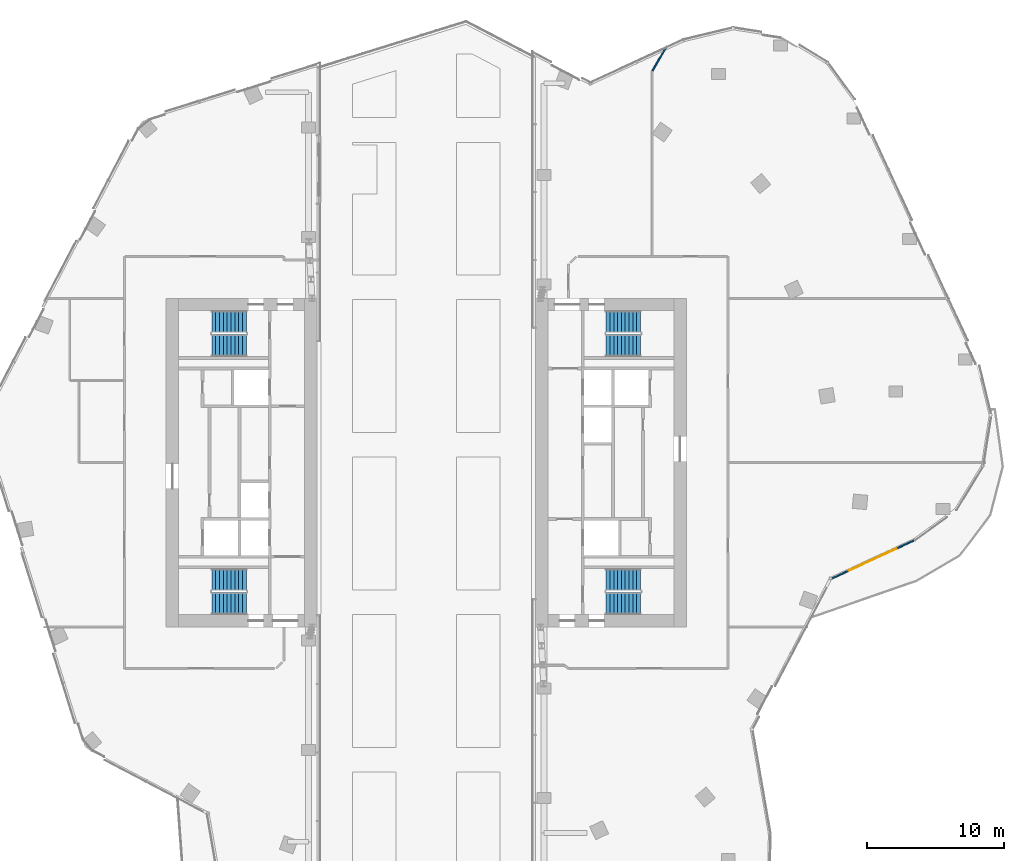
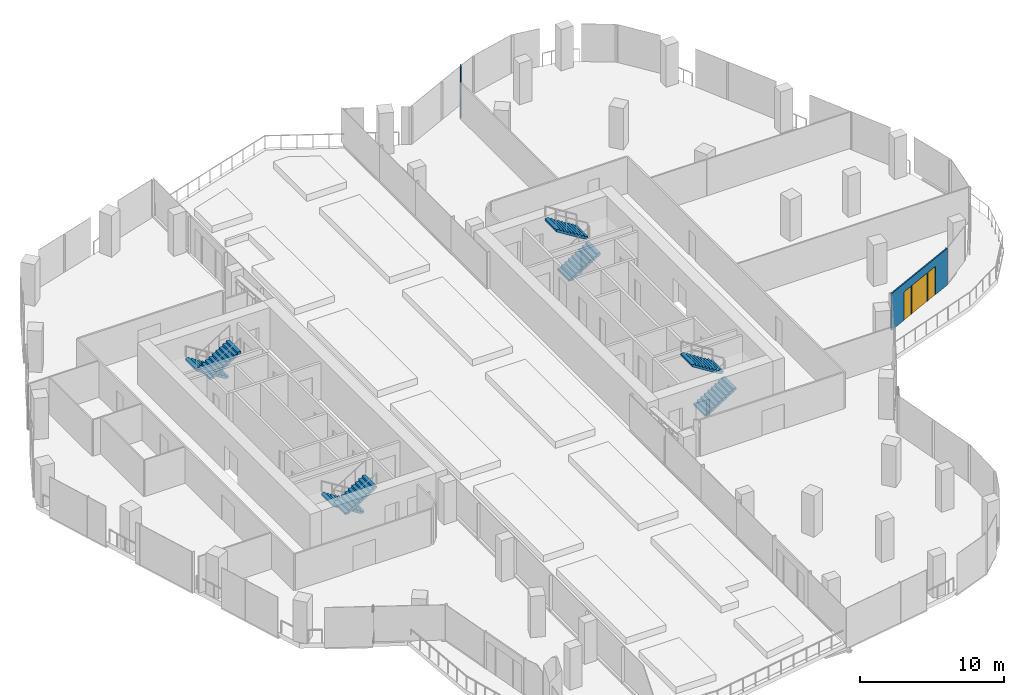
# One storey, part 22 of 26: 8 stair flights, 2 walls, 2 windows, 1 door, 3 openings, 4 elements without a shape of their own.
"""IFC4 building model written with IfcOpenShell, lengths in metres."""

from ifc_helpers import new_model, si_unit, direction, frame, frame_2d, origin, place, context, subcontext, project, spatial, polyline, rectangle, outline, extrude, material, layer, layer_set, type_object, element, fill, aggregate, save


model = new_model("IFC4")

# Units and contexts
model_context = context("Model", 3, precision=1e-05, world=origin(), true_north=direction((0.0, 1.0)))
body_context = subcontext(model_context, "Body", "Model", "MODEL_VIEW")
ifc_project = project(units=[si_unit("LENGTHUNIT", "METRE"), si_unit("AREAUNIT", "SQUARE_METRE"), si_unit("VOLUMEUNIT", "CUBIC_METRE"), si_unit("PLANEANGLEUNIT", "RADIAN"), si_unit("MASSUNIT", "GRAM", prefix="KILO")], contexts=[model_context])

# Site, building, storey
site_placement = place(None, origin())
site = spatial("IfcSite", under=ifc_project, at=site_placement, CompositionType="ELEMENT")
building_placement = place(site_placement, origin())
building = spatial("IfcBuilding", under=site, at=building_placement, Name="Orlundy Tower", CompositionType="ELEMENT")
storey_placement = place(building_placement, frame((0.0, 0.0, 253.5)))
storey = spatial("IfcBuildingStorey", under=building, at=storey_placement, Name="L67", CompositionType="ELEMENT", Elevation=253.5)

# Wall
ifc_material_1 = material(Name="Gypsum board partition")
ifc_layer_1 = layer(ifc_material_1, 0.10009765625)
ifc_layer_set_1 = layer_set([ifc_layer_1], Name="Floor partition 100")
wall_type_1 = type_object("IfcWallType", Name="Floor partition 100", PredefinedType="PARTITIONING", material=ifc_layer_set_1)
wall_1_placement = place(storey_placement, frame((16.530029296875, 28.6298828125, 0.0), z_axis=(0.0, 0.0, 1.0), x_axis=(0.499779509621, 0.866152666545, 0.0)))
element("IfcWall", 1, at=wall_1_placement, inside=storey, type_object=wall_type_1, Name="wall-int-L67-016", PredefinedType="PARTITIONING", context=body_context, shape_type="SweptSolid", body=[
    extrude(rectangle(XDim=2.09912109375, YDim=0.10009765625, at=frame_2d((1.049560546875, 0.0))), origin(), (0.0, 0.0, 1.0), 3.080078125),
])

# Wall, openings, windows, door
ifc_material_2 = material(Name="Aluminium bronze and tinted glass", Category="aluminium")
ifc_layer_2 = layer(ifc_material_2, 0.10009765625)
ifc_layer_set_2 = layer_set([ifc_layer_2], Name="Glazed door screen")
wall_type_2 = type_object("IfcWallType", Name="Glazed door screen", PredefinedType="STANDARD", material=ifc_layer_set_2)
wall_2_placement = place(storey_placement, frame((35.67236328125, -5.6728515625, 0.0), z_axis=(0.0, 0.0, 1.0), x_axis=(-0.907548464316, -0.419947359699, 0.0)))
wall_2 = element("IfcWall", 2, at=wall_2_placement, inside=storey, type_object=wall_type_2, Name="Glazed door screen", PredefinedType="STANDARD", context=body_context, shape_type="SweptSolid", body=[
    extrude(rectangle(XDim=6.71923828125, YDim=0.10009765625, at=frame_2d((3.359619140625, 0.0))), origin(), (0.0, 0.0, 1.0), 3.10009765625),
])
opening_1_placement = place(wall_2_placement, frame((2.459716796875, 0.0, 0.0)))
opening_1 = element("IfcOpeningElement", 3, at=opening_1_placement, cuts=wall_2, Name="Opening 51942", PredefinedType="OPENING", context=body_context, shape_type="SweptSolid", body=[
    extrude(rectangle(XDim=1.800048828125, YDim=2.39990234375, at=frame_2d((0.89990234375, 1.199951171875))), frame((0.0, 0.06005859375, 0.0), z_axis=(0.0, -1.0, 0.0), x_axis=(1.0, 0.0, 0.0)), (0.0, 0.0, 1.0), 0.1201171875),
])
opening_2_placement = place(wall_2_placement, frame((1.459716796875, 0.0, 0.0)))
opening_2 = element("IfcOpeningElement", 4, at=opening_2_placement, cuts=wall_2, Name="Opening W02", PredefinedType="OPENING", context=body_context, shape_type="SweptSolid", body=[
    extrude(rectangle(XDim=0.89990234375, YDim=2.39990234375, at=frame_2d((0.449951171875, 1.199951171875))), frame((0.0, 0.06005859375, 0.0), z_axis=(0.0, -1.0, 0.0), x_axis=(1.0, 0.0, 0.0)), (0.0, 0.0, 1.0), 0.1201171875),
])
opening_3_placement = place(wall_2_placement, frame((4.35986328125, 0.0, 0.0)))
opening_3 = element("IfcOpeningElement", 5, at=opening_3_placement, cuts=wall_2, Name="Opening W02", PredefinedType="OPENING", context=body_context, shape_type="SweptSolid", body=[
    extrude(rectangle(XDim=0.89990234375, YDim=2.39990234375, at=frame_2d((0.449951171875, 1.199951171875))), frame((0.0, 0.06005859375, 0.0), z_axis=(0.0, -1.0, 0.0), x_axis=(1.0, 0.0, 0.0)), (0.0, 0.0, 1.0), 0.1201171875),
])
ifc_material_3 = material(Name="Tinted glass in bronze aluminium frame", Category="aluminium")
window_type = type_object("IfcWindowType", Name="SL2 sidelight 900x2400", PartitioningType="SINGLE_PANEL", PredefinedType="WINDOW", material=ifc_material_3)
window_1_placement = place(opening_2_placement, origin())
window_1 = element("IfcWindow", 6, at=window_1_placement, inside=storey, type_object=window_type, Name="Window W02 L67", OverallHeight=2.39990234375, OverallWidth=0.89990234375, PartitioningType="SINGLE_PANEL", PredefinedType="WINDOW", context=body_context, shape_type="SweptSolid", body=[
    extrude(rectangle(XDim=0.89990234375, YDim=2.39990234375, at=frame_2d((0.449951171875, 1.199951171875))), frame((0.0, 0.030029296875, 0.0), z_axis=(0.0, -1.0, 0.0), x_axis=(1.0, 0.0, 0.0)), (0.0, 0.0, 1.0), 0.06005859375),
])
fill(opening_2, window_1)
window_2_placement = place(opening_3_placement, origin())
window_2 = element("IfcWindow", 7, at=window_2_placement, inside=storey, type_object=window_type, Name="Window W02 L67", OverallHeight=2.39990234375, OverallWidth=0.89990234375, PartitioningType="SINGLE_PANEL", PredefinedType="WINDOW", context=body_context, shape_type="SweptSolid", body=[
    extrude(rectangle(XDim=0.89990234375, YDim=2.39990234375, at=frame_2d((0.449951171875, 1.199951171875))), frame((0.0, 0.030029296875, 0.0), z_axis=(0.0, -1.0, 0.0), x_axis=(1.0, 0.0, 0.0)), (0.0, 0.0, 1.0), 0.06005859375),
])
fill(opening_3, window_2)
ifc_material_4 = material(Name="Aluminium bronze and tinted glass", Category="aluminium")
door_type = type_object("IfcDoorType", Name="TD1 terrace door 1800x2400", OperationType="NOTDEFINED", PredefinedType="DOOR", material=ifc_material_4)
door_placement = place(opening_1_placement, origin())
door = element("IfcDoor", 8, at=door_placement, inside=storey, type_object=door_type, Name="Door 51942", OperationType="DOUBLE_DOOR_SINGLE_SWING", OverallHeight=2.39990234375, OverallWidth=1.800048828125, PredefinedType="DOOR", context=body_context, shape_type="SweptSolid", body=[
    extrude(rectangle(XDim=1.800048828125, YDim=2.39990234375, at=frame_2d((0.89990234375, 1.199951171875))), frame((0.0, 0.02490234375, 0.0), z_axis=(0.0, -1.0, 0.0), x_axis=(1.0, 0.0, 0.0)), (0.0, 0.0, 1.0), 0.050048828125),
])
fill(opening_1, door)

# Stair, stair flights
ifc_material_5 = material(Name="Concrete C50/60", Category="concrete")
stair_type = type_object("IfcStairType", Name="Exit Stair 20 risers", PredefinedType="HALF_TURN_STAIR", material=ifc_material_5)
stair_1_placement = place(storey_placement, origin())
stair_1 = element("IfcStair", 9, at=stair_1_placement, inside=storey, type_object=stair_type, Name="L67 Exit Stair ST-W1", PredefinedType="HALF_TURN_STAIR")
ifc_material_6 = material(Name="Concrete C50/60", Category="concrete")
stair_flight_type = type_object("IfcStairFlightType", Name="Stair Flight 10 risers", PredefinedType="STRAIGHT", material=ifc_material_6)
stair_flight_1_placement = place(storey_placement, frame((-13.139892578125, 10.300048828125, 0.0), z_axis=(0.0, 0.0, 1.0), x_axis=(-1.0, 0.0, 0.0)))
stair_flight_1 = element("IfcStairFlight", 10, at=stair_flight_1_placement, type_object=stair_flight_type, Name="ST-W1 flight 1", NumberOfRisers=10, NumberOfTreads=9, PredefinedType="STRAIGHT", RiserHeight=0.175, TreadLength=0.28, context=body_context, shape_type="SweptSolid", body=[
    extrude(outline(polyline([(0.0, 0.0), (0.0, 0.175048828125), (0.280029296875, 0.175048828125), (0.280029296875, 0.35009765625), (0.56005859375, 0.35009765625), (0.56005859375, 0.52490234375), (0.840087890625, 0.52490234375), (0.840087890625, 0.699951171875), (1.1201171875, 0.699951171875), (1.1201171875, 0.875), (1.39990234375, 0.875), (1.39990234375, 1.050048828125), (1.679931640625, 1.050048828125), (1.679931640625, 1.22509765625), (1.9599609375, 1.22509765625), (1.9599609375, 1.39990234375), (2.239990234375, 1.39990234375), (2.239990234375, 1.574951171875), (2.52001953125, 1.574951171875), (2.52001953125, 1.75), (2.52001953125, 1.398193359375), (0.28271484375, 0.0), (0.0, 0.0)])), frame((0.0, 0.800048828125, 0.0), z_axis=(0.0, -1.0, 0.0), x_axis=(1.0, 0.0, 0.0)), (0.0, 0.0, 1.0), 1.60009765625),
])
stair_flight_2_placement = place(storey_placement, frame((-15.659912109375, 8.550048828125, 1.75), z_axis=(0.0, 0.0, 1.0), x_axis=(1.0, 0.0, 0.0)))
stair_flight_2 = element("IfcStairFlight", 11, at=stair_flight_2_placement, type_object=stair_flight_type, Name="ST-W1 flight 2", NumberOfRisers=10, NumberOfTreads=9, PredefinedType="STRAIGHT", RiserHeight=0.175, TreadLength=0.28, context=body_context, shape_type="SweptSolid", body=[
    extrude(outline(polyline([(0.0, 0.0), (0.0, 0.175048828125), (0.280029296875, 0.175048828125), (0.280029296875, 0.35009765625), (0.56005859375, 0.35009765625), (0.56005859375, 0.52490234375), (0.840087890625, 0.52490234375), (0.840087890625, 0.699951171875), (1.1201171875, 0.699951171875), (1.1201171875, 0.875), (1.39990234375, 0.875), (1.39990234375, 1.050048828125), (1.679931640625, 1.050048828125), (1.679931640625, 1.22509765625), (1.9599609375, 1.22509765625), (1.9599609375, 1.39990234375), (2.239990234375, 1.39990234375), (2.239990234375, 1.574951171875), (2.52001953125, 1.574951171875), (2.52001953125, 1.75), (2.52001953125, 1.398193359375), (0.28271484375, 0.0), (0.0, 0.0)])), frame((0.0, 0.800048828125, 0.0), z_axis=(0.0, -1.0, 0.0), x_axis=(1.0, 0.0, 0.0)), (0.0, 0.0, 1.0), 1.60009765625),
])
aggregate(stair_1, [stair_flight_1, stair_flight_2])

stair_2_placement = place(storey_placement, origin())
stair_2 = element("IfcStair", 12, at=stair_2_placement, inside=storey, type_object=stair_type, Name="L67 Exit Stair ST-W2", PredefinedType="HALF_TURN_STAIR")
stair_flight_3_placement = place(storey_placement, frame((-13.139892578125, -8.550048828125, 0.0), z_axis=(0.0, 0.0, 1.0), x_axis=(-1.0, 0.0, 0.0)))
stair_flight_3 = element("IfcStairFlight", 13, at=stair_flight_3_placement, type_object=stair_flight_type, Name="ST-W2 flight 1", NumberOfRisers=10, NumberOfTreads=9, PredefinedType="STRAIGHT", RiserHeight=0.175, TreadLength=0.28, context=body_context, shape_type="SweptSolid", body=[
    extrude(outline(polyline([(0.0, 0.0), (0.0, 0.175048828125), (0.280029296875, 0.175048828125), (0.280029296875, 0.35009765625), (0.56005859375, 0.35009765625), (0.56005859375, 0.52490234375), (0.840087890625, 0.52490234375), (0.840087890625, 0.699951171875), (1.1201171875, 0.699951171875), (1.1201171875, 0.875), (1.39990234375, 0.875), (1.39990234375, 1.050048828125), (1.679931640625, 1.050048828125), (1.679931640625, 1.22509765625), (1.9599609375, 1.22509765625), (1.9599609375, 1.39990234375), (2.239990234375, 1.39990234375), (2.239990234375, 1.574951171875), (2.52001953125, 1.574951171875), (2.52001953125, 1.75), (2.52001953125, 1.398193359375), (0.28271484375, 0.0), (0.0, 0.0)])), frame((0.0, 0.800048828125, 0.0), z_axis=(0.0, -1.0, 0.0), x_axis=(1.0, 0.0, 0.0)), (0.0, 0.0, 1.0), 1.60009765625),
])
stair_flight_4_placement = place(storey_placement, frame((-15.659912109375, -10.300048828125, 1.75), z_axis=(0.0, 0.0, 1.0), x_axis=(1.0, 0.0, 0.0)))
stair_flight_4 = element("IfcStairFlight", 14, at=stair_flight_4_placement, type_object=stair_flight_type, Name="ST-W2 flight 2", NumberOfRisers=10, NumberOfTreads=9, PredefinedType="STRAIGHT", RiserHeight=0.175, TreadLength=0.28, context=body_context, shape_type="SweptSolid", body=[
    extrude(outline(polyline([(0.0, 0.0), (0.0, 0.175048828125), (0.280029296875, 0.175048828125), (0.280029296875, 0.35009765625), (0.56005859375, 0.35009765625), (0.56005859375, 0.52490234375), (0.840087890625, 0.52490234375), (0.840087890625, 0.699951171875), (1.1201171875, 0.699951171875), (1.1201171875, 0.875), (1.39990234375, 0.875), (1.39990234375, 1.050048828125), (1.679931640625, 1.050048828125), (1.679931640625, 1.22509765625), (1.9599609375, 1.22509765625), (1.9599609375, 1.39990234375), (2.239990234375, 1.39990234375), (2.239990234375, 1.574951171875), (2.52001953125, 1.574951171875), (2.52001953125, 1.75), (2.52001953125, 1.398193359375), (0.28271484375, 0.0), (0.0, 0.0)])), frame((0.0, 0.800048828125, 0.0), z_axis=(0.0, -1.0, 0.0), x_axis=(1.0, 0.0, 0.0)), (0.0, 0.0, 1.0), 1.60009765625),
])
aggregate(stair_2, [stair_flight_3, stair_flight_4])

stair_3_placement = place(storey_placement, origin())
stair_3 = element("IfcStair", 15, at=stair_3_placement, inside=storey, type_object=stair_type, Name="L67 Exit Stair ST-E1", PredefinedType="HALF_TURN_STAIR")
stair_flight_5_placement = place(storey_placement, frame((13.139892578125, -10.300048828125, 0.0), z_axis=(0.0, 0.0, 1.0), x_axis=(1.0, 0.0, 0.0)))
stair_flight_5 = element("IfcStairFlight", 16, at=stair_flight_5_placement, type_object=stair_flight_type, Name="ST-E1 flight 1", NumberOfRisers=10, NumberOfTreads=9, PredefinedType="STRAIGHT", RiserHeight=0.175, TreadLength=0.28, context=body_context, shape_type="SweptSolid", body=[
    extrude(outline(polyline([(0.0, 0.0), (0.0, 0.175048828125), (0.280029296875, 0.175048828125), (0.280029296875, 0.35009765625), (0.56005859375, 0.35009765625), (0.56005859375, 0.52490234375), (0.840087890625, 0.52490234375), (0.840087890625, 0.699951171875), (1.1201171875, 0.699951171875), (1.1201171875, 0.875), (1.39990234375, 0.875), (1.39990234375, 1.050048828125), (1.679931640625, 1.050048828125), (1.679931640625, 1.22509765625), (1.9599609375, 1.22509765625), (1.9599609375, 1.39990234375), (2.239990234375, 1.39990234375), (2.239990234375, 1.574951171875), (2.52001953125, 1.574951171875), (2.52001953125, 1.75), (2.52001953125, 1.398193359375), (0.28271484375, 0.0), (0.0, 0.0)])), frame((0.0, 0.800048828125, 0.0), z_axis=(0.0, -1.0, 0.0), x_axis=(1.0, 0.0, 0.0)), (0.0, 0.0, 1.0), 1.60009765625),
])
stair_flight_6_placement = place(storey_placement, frame((15.659912109375, -8.550048828125, 1.75), z_axis=(0.0, 0.0, 1.0), x_axis=(-1.0, 0.0, 0.0)))
stair_flight_6 = element("IfcStairFlight", 17, at=stair_flight_6_placement, type_object=stair_flight_type, Name="ST-E1 flight 2", NumberOfRisers=10, NumberOfTreads=9, PredefinedType="STRAIGHT", RiserHeight=0.175, TreadLength=0.28, context=body_context, shape_type="SweptSolid", body=[
    extrude(outline(polyline([(0.0, 0.0), (0.0, 0.175048828125), (0.280029296875, 0.175048828125), (0.280029296875, 0.35009765625), (0.56005859375, 0.35009765625), (0.56005859375, 0.52490234375), (0.840087890625, 0.52490234375), (0.840087890625, 0.699951171875), (1.1201171875, 0.699951171875), (1.1201171875, 0.875), (1.39990234375, 0.875), (1.39990234375, 1.050048828125), (1.679931640625, 1.050048828125), (1.679931640625, 1.22509765625), (1.9599609375, 1.22509765625), (1.9599609375, 1.39990234375), (2.239990234375, 1.39990234375), (2.239990234375, 1.574951171875), (2.52001953125, 1.574951171875), (2.52001953125, 1.75), (2.52001953125, 1.398193359375), (0.28271484375, 0.0), (0.0, 0.0)])), frame((0.0, 0.800048828125, 0.0), z_axis=(0.0, -1.0, 0.0), x_axis=(1.0, 0.0, 0.0)), (0.0, 0.0, 1.0), 1.60009765625),
])
aggregate(stair_3, [stair_flight_5, stair_flight_6])

stair_4_placement = place(storey_placement, origin())
stair_4 = element("IfcStair", 18, at=stair_4_placement, inside=storey, type_object=stair_type, Name="L67 Exit Stair ST-E2", PredefinedType="HALF_TURN_STAIR")
stair_flight_7_placement = place(storey_placement, frame((13.139892578125, 8.550048828125, 0.0), z_axis=(0.0, 0.0, 1.0), x_axis=(1.0, 0.0, 0.0)))
stair_flight_7 = element("IfcStairFlight", 19, at=stair_flight_7_placement, type_object=stair_flight_type, Name="ST-E2 flight 1", NumberOfRisers=10, NumberOfTreads=9, PredefinedType="STRAIGHT", RiserHeight=0.175, TreadLength=0.28, context=body_context, shape_type="SweptSolid", body=[
    extrude(outline(polyline([(0.0, 0.0), (0.0, 0.175048828125), (0.280029296875, 0.175048828125), (0.280029296875, 0.35009765625), (0.56005859375, 0.35009765625), (0.56005859375, 0.52490234375), (0.840087890625, 0.52490234375), (0.840087890625, 0.699951171875), (1.1201171875, 0.699951171875), (1.1201171875, 0.875), (1.39990234375, 0.875), (1.39990234375, 1.050048828125), (1.679931640625, 1.050048828125), (1.679931640625, 1.22509765625), (1.9599609375, 1.22509765625), (1.9599609375, 1.39990234375), (2.239990234375, 1.39990234375), (2.239990234375, 1.574951171875), (2.52001953125, 1.574951171875), (2.52001953125, 1.75), (2.52001953125, 1.398193359375), (0.28271484375, 0.0), (0.0, 0.0)])), frame((0.0, 0.800048828125, 0.0), z_axis=(0.0, -1.0, 0.0), x_axis=(1.0, 0.0, 0.0)), (0.0, 0.0, 1.0), 1.60009765625),
])
stair_flight_8_placement = place(storey_placement, frame((15.659912109375, 10.300048828125, 1.75), z_axis=(0.0, 0.0, 1.0), x_axis=(-1.0, 0.0, 0.0)))
stair_flight_8 = element("IfcStairFlight", 20, at=stair_flight_8_placement, type_object=stair_flight_type, Name="ST-E2 flight 2", NumberOfRisers=10, NumberOfTreads=9, PredefinedType="STRAIGHT", RiserHeight=0.175, TreadLength=0.28, context=body_context, shape_type="SweptSolid", body=[
    extrude(outline(polyline([(0.0, 0.0), (0.0, 0.175048828125), (0.280029296875, 0.175048828125), (0.280029296875, 0.35009765625), (0.56005859375, 0.35009765625), (0.56005859375, 0.52490234375), (0.840087890625, 0.52490234375), (0.840087890625, 0.699951171875), (1.1201171875, 0.699951171875), (1.1201171875, 0.875), (1.39990234375, 0.875), (1.39990234375, 1.050048828125), (1.679931640625, 1.050048828125), (1.679931640625, 1.22509765625), (1.9599609375, 1.22509765625), (1.9599609375, 1.39990234375), (2.239990234375, 1.39990234375), (2.239990234375, 1.574951171875), (2.52001953125, 1.574951171875), (2.52001953125, 1.75), (2.52001953125, 1.398193359375), (0.28271484375, 0.0), (0.0, 0.0)])), frame((0.0, 0.800048828125, 0.0), z_axis=(0.0, -1.0, 0.0), x_axis=(1.0, 0.0, 0.0)), (0.0, 0.0, 1.0), 1.60009765625),
])
aggregate(stair_4, [stair_flight_7, stair_flight_8])

save(model, "model.ifc")
